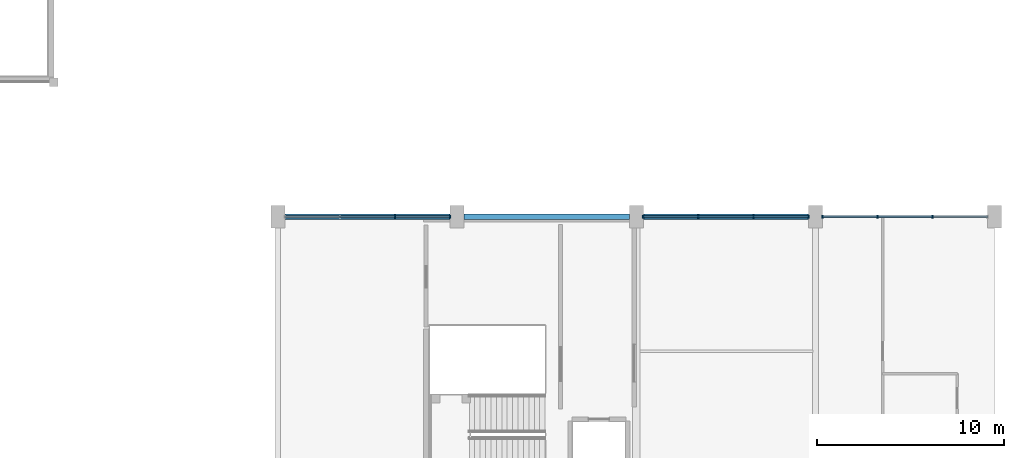
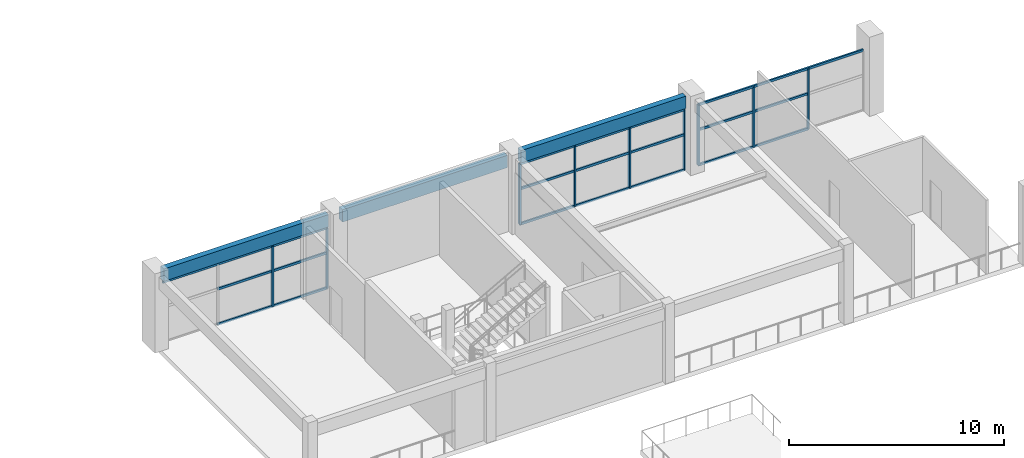
# One storey, part 44 of 89: 26 members, 3 beams, 3 elements without a shape of their own.
"""IFC4 building model written with IfcOpenShell, lengths in metres."""

from ifc_helpers import new_model, si_unit, direction, frame, origin, origin_2d, place, context, subcontext, project, spatial, rectangle, extrude, material, material_profile, profile_set, type_object, element, aggregate, save


model = new_model("IFC4")

# Units and contexts
model_context = context("Model", 3, precision=1e-05, world=origin(), true_north=direction((0.0, 1.0)))
body_context = subcontext(model_context, "Body", "Model", "MODEL_VIEW")
ifc_project = project(units=[si_unit("LENGTHUNIT", "METRE"), si_unit("AREAUNIT", "SQUARE_METRE"), si_unit("VOLUMEUNIT", "CUBIC_METRE"), si_unit("PLANEANGLEUNIT", "RADIAN"), si_unit("MASSUNIT", "GRAM", prefix="KILO")], contexts=[model_context])

# Site, building, storey
site_placement = place(None, origin())
site = spatial("IfcSite", under=ifc_project, at=site_placement, CompositionType="ELEMENT")
building_placement = place(site_placement, origin())
building = spatial("IfcBuilding", under=site, at=building_placement, Name="Suirenkawa Promenade Aquatics Centre", CompositionType="ELEMENT")
storey_placement = place(building_placement, frame((0.0, 0.0, 9.60009765625)))
storey = spatial("IfcBuildingStorey", under=building, at=storey_placement, Name="L02", CompositionType="ELEMENT", Elevation=9.60009765625)

# Beams
ifc_material_1 = material(Name="Concrete M40", Category="concrete")
ifc_material_profile_1 = material_profile(ifc_material_1, rectangle(XDim=0.300048828125, YDim=0.699951171875, at=origin_2d()), Name="RC SPANDREL 300x700", Category="concrete")
ifc_profile_set_1 = profile_set([ifc_material_profile_1], Name="Concrete M40")
beam_type = type_object("IfcBeamType", Name="BT-SPANDREL-300x700", PredefinedType="SPANDREL", material=ifc_profile_set_1)
for number, where, z_axis, x_axis, name in (
    (1, (156.368896484375, 100.800048828125, 3.89990234375), (1.0, 0.0, 0.0), (0.0, 1.0, 0.0), "Floor beam SP-01 BM-1424"),
    (2, (165.968994140625, 100.800048828125, 3.89990234375), (1.0, 0.0, 0.0), (0.0, 1.0, 0.0), "Floor beam SP-01 BM-1425"),
):
    element("IfcBeam", number, at=place(storey_placement, frame(where, z_axis=z_axis, x_axis=x_axis)), inside=storey, type_object=beam_type, Name=name, PredefinedType="SPANDREL", context=body_context, shape_type="SweptSolid", body=[
        extrude(rectangle(XDim=0.300048828125, YDim=0.699951171875, at=origin_2d()), origin(), (0.0, 0.0, 1.0), 8.862060546875),
    ])
beam_placement = place(storey_placement, frame((175.569091796875, 100.800048828125, 3.89990234375), z_axis=(1.0, 0.0, 0.0), x_axis=(0.0, 1.0, 0.0)))
element("IfcBeam", 3, at=beam_placement, inside=storey, type_object=beam_type, Name="Floor beam SP-01 BM-1426", PredefinedType="SPANDREL", context=body_context, shape_type="SweptSolid", body=[
    extrude(rectangle(XDim=0.300048828125, YDim=0.699951171875, at=origin_2d()), origin(), (0.0, 0.0, 1.0), 8.86181640625),
])

# Curtain wall, members
ifc_material_2 = material(Name="Anodised aluminium 6063-T6", Category="aluminium")
curtain_wall_type = type_object("IfcCurtainWallType", Name="CWAT-V2GL02-19", PredefinedType="NOTDEFINED", material=ifc_material_2)
curtain_wall_1_placement = place(storey_placement, origin())
curtain_wall_1 = element("IfcCurtainWall", 4, at=curtain_wall_1_placement, inside=storey, type_object=curtain_wall_type, Name="Curtain wall CWA-19 CW-038", PredefinedType="NOTDEFINED")
ifc_material_profile_2 = material_profile(ifc_material_2, rectangle(XDim=0.090087890625, YDim=0.159912109375, at=origin_2d()), Name="ALU MULL 90x160", Category="aluminium")
ifc_profile_set_2 = profile_set([ifc_material_profile_2], Name="Anodised aluminium 6063-T6")
member_type_1 = type_object("IfcMemberType", Name="CWM-160x90", PredefinedType="MULLION", material=ifc_profile_set_2)
member_1_placement = place(storey_placement, frame((162.275390625, 100.800048828125, 0.0), z_axis=(0.0, 0.0, 1.0), x_axis=(1.0, 0.0, 0.0)))
member_1 = element("IfcMember", 5, at=member_1_placement, type_object=member_type_1, Name="Mullion ML-03 CWM-00780", PredefinedType="MULLION", context=body_context, shape_type="SweptSolid", body=[
    extrude(rectangle(XDim=0.090087890625, YDim=0.159912109375, at=origin_2d()), origin(), (0.0, 0.0, 1.0), 3.419921875),
])
member_2_placement = place(storey_placement, frame((165.22607421875, 100.800048828125, 0.0), z_axis=(0.0, 0.0, 1.0), x_axis=(1.0, 0.0, 0.0)))
member_2 = element("IfcMember", 6, at=member_2_placement, type_object=member_type_1, Name="Mullion ML-03 CWM-00781", PredefinedType="MULLION", context=body_context, shape_type="SweptSolid", body=[
    extrude(rectangle(XDim=0.090087890625, YDim=0.159912109375, at=origin_2d()), origin(), (0.0, 0.0, 1.0), 3.419921875),
])

curtain_wall_2_placement = place(storey_placement, origin())
curtain_wall_2 = element("IfcCurtainWall", 7, at=curtain_wall_2_placement, inside=storey, type_object=curtain_wall_type, Name="Curtain wall CWA-19 CW-044", PredefinedType="NOTDEFINED")
member_3_placement = place(storey_placement, frame((175.573974609375, 100.800048828125, 0.0), z_axis=(0.0, 0.0, 1.0), x_axis=(1.0, 0.0, 0.0)))
member_3 = element("IfcMember", 8, at=member_3_placement, type_object=member_type_1, Name="Mullion ML-03 CWM-00900", PredefinedType="MULLION", context=body_context, shape_type="SweptSolid", body=[
    extrude(rectangle(XDim=0.090087890625, YDim=0.159912109375, at=origin_2d()), origin(), (0.0, 0.0, 1.0), 3.419921875),
])
member_4_placement = place(storey_placement, frame((178.524658203125, 100.800048828125, 0.0), z_axis=(0.0, 0.0, 1.0), x_axis=(1.0, 0.0, 0.0)))
member_4 = element("IfcMember", 9, at=member_4_placement, type_object=member_type_1, Name="Mullion ML-03 CWM-00901", PredefinedType="MULLION", context=body_context, shape_type="SweptSolid", body=[
    extrude(rectangle(XDim=0.090087890625, YDim=0.159912109375, at=origin_2d()), origin(), (0.0, 0.0, 1.0), 3.419921875),
])
member_5_placement = place(storey_placement, frame((181.475341796875, 100.800048828125, 0.0), z_axis=(0.0, 0.0, 1.0), x_axis=(1.0, 0.0, 0.0)))
member_5 = element("IfcMember", 10, at=member_5_placement, type_object=member_type_1, Name="Mullion ML-03 CWM-00902", PredefinedType="MULLION", context=body_context, shape_type="SweptSolid", body=[
    extrude(rectangle(XDim=0.090087890625, YDim=0.159912109375, at=origin_2d()), origin(), (0.0, 0.0, 1.0), 3.419921875),
])
member_6_placement = place(storey_placement, frame((184.426025390625, 100.800048828125, 0.0), z_axis=(0.0, 0.0, 1.0), x_axis=(1.0, 0.0, 0.0)))
member_6 = element("IfcMember", 11, at=member_6_placement, type_object=member_type_1, Name="Mullion ML-03 CWM-00903", PredefinedType="MULLION", context=body_context, shape_type="SweptSolid", body=[
    extrude(rectangle(XDim=0.090087890625, YDim=0.159912109375, at=origin_2d()), origin(), (0.0, 0.0, 1.0), 3.419921875),
])

curtain_wall_3_placement = place(storey_placement, origin())
curtain_wall_3 = element("IfcCurtainWall", 12, at=curtain_wall_3_placement, inside=storey, type_object=curtain_wall_type, Name="Curtain wall CWA-19 CW-047", PredefinedType="NOTDEFINED")
member_7_placement = place(storey_placement, frame((185.174072265625, 100.800048828125, 0.0), z_axis=(0.0, 0.0, 1.0), x_axis=(1.0, 0.0, 0.0)))
member_7 = element("IfcMember", 13, at=member_7_placement, type_object=member_type_1, Name="Mullion ML-03 CWM-00956", PredefinedType="MULLION", context=body_context, shape_type="SweptSolid", body=[
    extrude(rectangle(XDim=0.090087890625, YDim=0.159912109375, at=origin_2d()), origin(), (0.0, 0.0, 1.0), 3.419921875),
])
member_8_placement = place(storey_placement, frame((188.124755859375, 100.800048828125, 0.0), z_axis=(0.0, 0.0, 1.0), x_axis=(1.0, 0.0, 0.0)))
member_8 = element("IfcMember", 14, at=member_8_placement, type_object=member_type_1, Name="Mullion ML-03 CWM-00957", PredefinedType="MULLION", context=body_context, shape_type="SweptSolid", body=[
    extrude(rectangle(XDim=0.090087890625, YDim=0.159912109375, at=origin_2d()), origin(), (0.0, 0.0, 1.0), 3.419921875),
])
member_9_placement = place(storey_placement, frame((191.075439453125, 100.800048828125, 0.0), z_axis=(0.0, 0.0, 1.0), x_axis=(1.0, 0.0, 0.0)))
member_9 = element("IfcMember", 15, at=member_9_placement, type_object=member_type_1, Name="Mullion ML-03 CWM-00958", PredefinedType="MULLION", context=body_context, shape_type="SweptSolid", body=[
    extrude(rectangle(XDim=0.090087890625, YDim=0.159912109375, at=origin_2d()), origin(), (0.0, 0.0, 1.0), 3.419921875),
])

# Member
ifc_material_profile_3 = material_profile(ifc_material_2, rectangle(XDim=0.090087890625, YDim=0.1298828125, at=origin_2d()), Name="ALU TRAN 90x130", Category="aluminium")
ifc_profile_set_3 = profile_set([ifc_material_profile_3], Name="Anodised aluminium 6063-T6")
member_type_2 = type_object("IfcMemberType", Name="CWT-130x90", PredefinedType="USERDEFINED", material=ifc_profile_set_3)
member_10_placement = place(storey_placement, frame((159.32470703125, 100.800048828125, 0.0), z_axis=(1.0, 0.0, 0.0), x_axis=(0.0, 1.0, 0.0)))
member_10 = element("IfcMember", 16, at=member_10_placement, type_object=member_type_2, Name="Transom TR-03 CWT-00783", ObjectType="TRANSOM", PredefinedType="USERDEFINED", context=body_context, shape_type="SweptSolid", body=[
    extrude(rectangle(XDim=0.090087890625, YDim=0.1298828125, at=origin_2d()), origin(), (0.0, 0.0, 1.0), 2.95068359375),
])

member_11_placement = place(storey_placement, frame((162.275390625, 100.800048828125, 0.0), z_axis=(1.0, 0.0, 0.0), x_axis=(0.0, 1.0, 0.0)))
member_11 = element("IfcMember", 17, at=member_11_placement, type_object=member_type_2, Name="Transom TR-03 CWT-00784", ObjectType="TRANSOM", PredefinedType="USERDEFINED", context=body_context, shape_type="SweptSolid", body=[
    extrude(rectangle(XDim=0.090087890625, YDim=0.1298828125, at=origin_2d()), origin(), (0.0, 0.0, 1.0), 2.95068359375),
])

member_12_placement = place(storey_placement, frame((159.32470703125, 100.800048828125, 2.0), z_axis=(1.0, 0.0, 0.0), x_axis=(0.0, 1.0, 0.0)))
member_12 = element("IfcMember", 18, at=member_12_placement, type_object=member_type_2, Name="Transom TR-03 CWT-00786", ObjectType="TRANSOM", PredefinedType="USERDEFINED", context=body_context, shape_type="SweptSolid", body=[
    extrude(rectangle(XDim=0.090087890625, YDim=0.1298828125, at=origin_2d()), origin(), (0.0, 0.0, 1.0), 2.95068359375),
])

member_13_placement = place(storey_placement, frame((162.275390625, 100.800048828125, 2.0), z_axis=(1.0, 0.0, 0.0), x_axis=(0.0, 1.0, 0.0)))
member_13 = element("IfcMember", 19, at=member_13_placement, type_object=member_type_2, Name="Transom TR-03 CWT-00787", ObjectType="TRANSOM", PredefinedType="USERDEFINED", context=body_context, shape_type="SweptSolid", body=[
    extrude(rectangle(XDim=0.090087890625, YDim=0.1298828125, at=origin_2d()), origin(), (0.0, 0.0, 1.0), 2.95068359375),
])

member_14_placement = place(storey_placement, frame((156.3740234375, 100.800048828125, 3.419921875), z_axis=(1.0, 0.0, 0.0), x_axis=(0.0, 1.0, 0.0)))
member_14 = element("IfcMember", 20, at=member_14_placement, type_object=member_type_2, Name="Roofline transom TR-03 CWT-00788", ObjectType="TRANSOM", PredefinedType="USERDEFINED", context=body_context, shape_type="SweptSolid", body=[
    extrude(rectangle(XDim=0.090087890625, YDim=0.1298828125, at=origin_2d()), origin(), (0.0, 0.0, 1.0), 8.85205078125),
])

aggregate(curtain_wall_1, [member_1, member_2, member_10, member_11, member_12, member_13, member_14])

member_15_placement = place(storey_placement, frame((175.573974609375, 100.800048828125, 0.0), z_axis=(1.0, 0.0, 0.0), x_axis=(0.0, 1.0, 0.0)))
member_15 = element("IfcMember", 21, at=member_15_placement, type_object=member_type_2, Name="Transom TR-03 CWT-00904", ObjectType="TRANSOM", PredefinedType="USERDEFINED", context=body_context, shape_type="SweptSolid", body=[
    extrude(rectangle(XDim=0.090087890625, YDim=0.1298828125, at=origin_2d()), origin(), (0.0, 0.0, 1.0), 2.95068359375),
])

member_16_placement = place(storey_placement, frame((178.524658203125, 100.800048828125, 0.0), z_axis=(1.0, 0.0, 0.0), x_axis=(0.0, 1.0, 0.0)))
member_16 = element("IfcMember", 22, at=member_16_placement, type_object=member_type_2, Name="Transom TR-03 CWT-00905", ObjectType="TRANSOM", PredefinedType="USERDEFINED", context=body_context, shape_type="SweptSolid", body=[
    extrude(rectangle(XDim=0.090087890625, YDim=0.1298828125, at=origin_2d()), origin(), (0.0, 0.0, 1.0), 2.95068359375),
])

member_17_placement = place(storey_placement, frame((181.475341796875, 100.800048828125, 0.0), z_axis=(1.0, 0.0, 0.0), x_axis=(0.0, 1.0, 0.0)))
member_17 = element("IfcMember", 23, at=member_17_placement, type_object=member_type_2, Name="Transom TR-03 CWT-00906", ObjectType="TRANSOM", PredefinedType="USERDEFINED", context=body_context, shape_type="SweptSolid", body=[
    extrude(rectangle(XDim=0.090087890625, YDim=0.1298828125, at=origin_2d()), origin(), (0.0, 0.0, 1.0), 2.95068359375),
])

member_18_placement = place(storey_placement, frame((175.573974609375, 100.800048828125, 2.0), z_axis=(1.0, 0.0, 0.0), x_axis=(0.0, 1.0, 0.0)))
member_18 = element("IfcMember", 24, at=member_18_placement, type_object=member_type_2, Name="Transom TR-03 CWT-00907", ObjectType="TRANSOM", PredefinedType="USERDEFINED", context=body_context, shape_type="SweptSolid", body=[
    extrude(rectangle(XDim=0.090087890625, YDim=0.1298828125, at=origin_2d()), origin(), (0.0, 0.0, 1.0), 2.95068359375),
])

member_19_placement = place(storey_placement, frame((178.524658203125, 100.800048828125, 2.0), z_axis=(1.0, 0.0, 0.0), x_axis=(0.0, 1.0, 0.0)))
member_19 = element("IfcMember", 25, at=member_19_placement, type_object=member_type_2, Name="Transom TR-03 CWT-00908", ObjectType="TRANSOM", PredefinedType="USERDEFINED", context=body_context, shape_type="SweptSolid", body=[
    extrude(rectangle(XDim=0.090087890625, YDim=0.1298828125, at=origin_2d()), origin(), (0.0, 0.0, 1.0), 2.95068359375),
])

member_20_placement = place(storey_placement, frame((181.475341796875, 100.800048828125, 2.0), z_axis=(1.0, 0.0, 0.0), x_axis=(0.0, 1.0, 0.0)))
member_20 = element("IfcMember", 26, at=member_20_placement, type_object=member_type_2, Name="Transom TR-03 CWT-00909", ObjectType="TRANSOM", PredefinedType="USERDEFINED", context=body_context, shape_type="SweptSolid", body=[
    extrude(rectangle(XDim=0.090087890625, YDim=0.1298828125, at=origin_2d()), origin(), (0.0, 0.0, 1.0), 2.95068359375),
])

member_21_placement = place(storey_placement, frame((175.573974609375, 100.800048828125, 3.419921875), z_axis=(1.0, 0.0, 0.0), x_axis=(0.0, 1.0, 0.0)))
member_21 = element("IfcMember", 27, at=member_21_placement, type_object=member_type_2, Name="Roofline transom TR-03 CWT-00910", ObjectType="TRANSOM", PredefinedType="USERDEFINED", context=body_context, shape_type="SweptSolid", body=[
    extrude(rectangle(XDim=0.090087890625, YDim=0.1298828125, at=origin_2d()), origin(), (0.0, 0.0, 1.0), 8.85205078125),
])

aggregate(curtain_wall_2, [member_3, member_4, member_5, member_6, member_15, member_16, member_17, member_18, member_19, member_20, member_21])

member_22_placement = place(storey_placement, frame((185.174072265625, 100.800048828125, 0.0), z_axis=(1.0, 0.0, 0.0), x_axis=(0.0, 1.0, 0.0)))
member_22 = element("IfcMember", 28, at=member_22_placement, type_object=member_type_2, Name="Transom TR-03 CWT-00960", ObjectType="TRANSOM", PredefinedType="USERDEFINED", context=body_context, shape_type="SweptSolid", body=[
    extrude(rectangle(XDim=0.090087890625, YDim=0.1298828125, at=origin_2d()), origin(), (0.0, 0.0, 1.0), 2.95068359375),
])

member_23_placement = place(storey_placement, frame((188.124755859375, 100.800048828125, 0.0), z_axis=(1.0, 0.0, 0.0), x_axis=(0.0, 1.0, 0.0)))
member_23 = element("IfcMember", 29, at=member_23_placement, type_object=member_type_2, Name="Transom TR-03 CWT-00961", ObjectType="TRANSOM", PredefinedType="USERDEFINED", context=body_context, shape_type="SweptSolid", body=[
    extrude(rectangle(XDim=0.090087890625, YDim=0.1298828125, at=origin_2d()), origin(), (0.0, 0.0, 1.0), 2.95068359375),
])

member_24_placement = place(storey_placement, frame((185.174072265625, 100.800048828125, 2.0), z_axis=(1.0, 0.0, 0.0), x_axis=(0.0, 1.0, 0.0)))
member_24 = element("IfcMember", 30, at=member_24_placement, type_object=member_type_2, Name="Transom TR-03 CWT-00963", ObjectType="TRANSOM", PredefinedType="USERDEFINED", context=body_context, shape_type="SweptSolid", body=[
    extrude(rectangle(XDim=0.090087890625, YDim=0.1298828125, at=origin_2d()), origin(), (0.0, 0.0, 1.0), 2.95068359375),
])

member_25_placement = place(storey_placement, frame((188.124755859375, 100.800048828125, 2.0), z_axis=(1.0, 0.0, 0.0), x_axis=(0.0, 1.0, 0.0)))
member_25 = element("IfcMember", 31, at=member_25_placement, type_object=member_type_2, Name="Transom TR-03 CWT-00964", ObjectType="TRANSOM", PredefinedType="USERDEFINED", context=body_context, shape_type="SweptSolid", body=[
    extrude(rectangle(XDim=0.090087890625, YDim=0.1298828125, at=origin_2d()), origin(), (0.0, 0.0, 1.0), 2.95068359375),
])

member_26_placement = place(storey_placement, frame((185.174072265625, 100.800048828125, 3.419921875), z_axis=(1.0, 0.0, 0.0), x_axis=(0.0, 1.0, 0.0)))
member_26 = element("IfcMember", 32, at=member_26_placement, type_object=member_type_2, Name="Roofline transom TR-03 CWT-00966", ObjectType="TRANSOM", PredefinedType="USERDEFINED", context=body_context, shape_type="SweptSolid", body=[
    extrude(rectangle(XDim=0.090087890625, YDim=0.1298828125, at=origin_2d()), origin(), (0.0, 0.0, 1.0), 8.851806640625),
])

aggregate(curtain_wall_3, [member_7, member_8, member_9, member_22, member_23, member_24, member_25, member_26])

save(model, "model.ifc")
